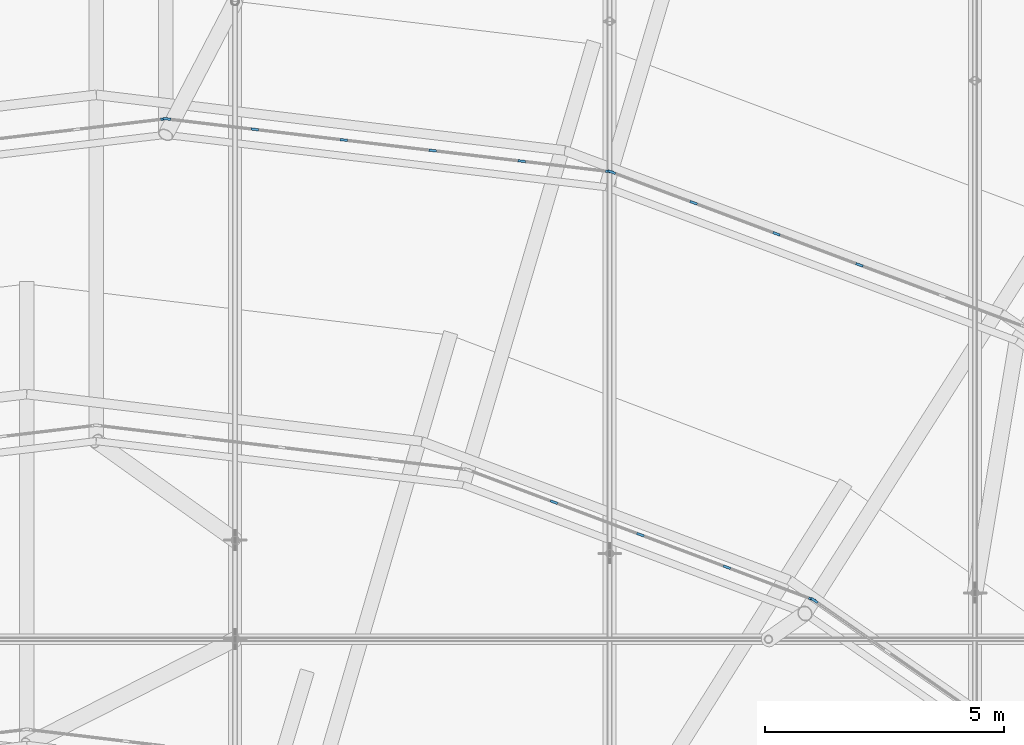
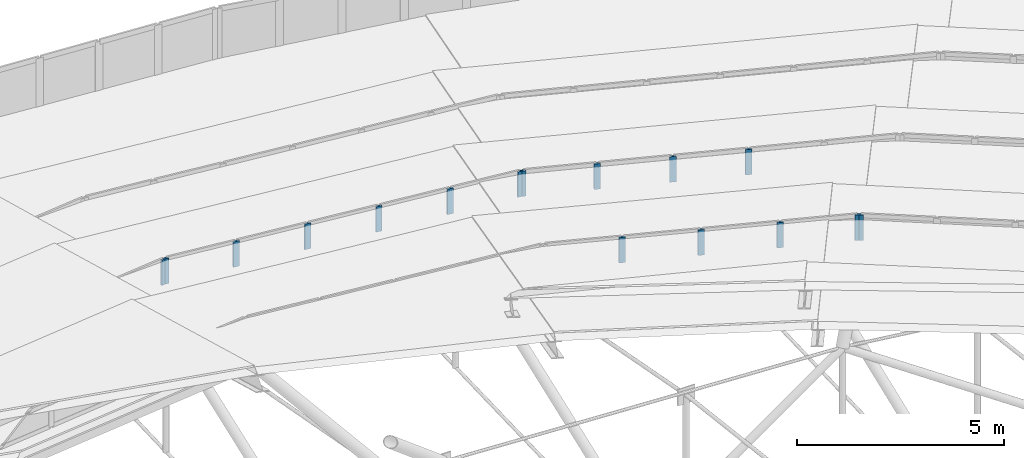
# One storey, part 138 of 173: 16 members, 5 elements without a shape of their own.
"""IFC4 building model written with IfcOpenShell, lengths in metres."""

from ifc_helpers import new_model, si_unit, direction, frame, origin, origin_2d, place, context, subcontext, project, spatial, rectangle, extrude, material, material_profile, profile_set, type_object, element, aggregate, save


model = new_model("IFC4")

# Units and contexts
model_context = context("Model", 3, precision=1e-05, world=origin(), true_north=direction((0.0, 1.0)))
body_context = subcontext(model_context, "Body", "Model", "MODEL_VIEW")
ifc_project = project(units=[si_unit("LENGTHUNIT", "METRE"), si_unit("AREAUNIT", "SQUARE_METRE"), si_unit("VOLUMEUNIT", "CUBIC_METRE"), si_unit("PLANEANGLEUNIT", "RADIAN"), si_unit("MASSUNIT", "GRAM", prefix="KILO")], contexts=[model_context])

# Site, building, storey
site_placement = place(None, origin())
site = spatial("IfcSite", under=ifc_project, at=site_placement, CompositionType="ELEMENT")
building_placement = place(site_placement, origin())
building = spatial("IfcBuilding", under=site, at=building_placement, Name="Glasvene Arena", CompositionType="ELEMENT")
storey_placement = place(building_placement, frame((0.0, 0.0, 28.800048828125)))
storey = spatial("IfcBuildingStorey", under=building, at=storey_placement, Name="RF", CompositionType="ELEMENT", Elevation=28.800048828125)

# Curtain wall, members
ifc_material_1 = material(Name="Low-emissivity laminated double glazing", Category="glass")
curtain_wall_type_1 = type_object("IfcCurtainWallType", Name="CW-PET2-925x75", PredefinedType="USERDEFINED", material=ifc_material_1)
curtain_wall_1_placement = place(storey_placement, frame((108.5, 99.952392578125, 0.0)))
curtain_wall_1 = element("IfcCurtainWall", 1, at=curtain_wall_1_placement, inside=storey, type_object=curtain_wall_type_1, Name="Petal ring 2-3 clerestory curtain wall 05", ObjectType="CURTAIN WALL", PredefinedType="USERDEFINED")
ifc_material_2 = material(Name="Anodised architectural aluminium", Category="aluminium")
ifc_material_profile = material_profile(ifc_material_2, rectangle(XDim=0.050048828125, YDim=0.159912109375, at=origin_2d()), Name="ALU MULLION 50x160")
ifc_profile_set = profile_set([ifc_material_profile], Name="Anodised architectural aluminium")
member_type = type_object("IfcMemberType", Name="CW-MUL-150", PredefinedType="MULLION", material=ifc_profile_set)
member_1_placement = place(storey_placement, frame((105.03662109375, 101.249267578125, 5.179931640625), z_axis=(0.0, 0.0, 1.0), x_axis=(-0.350639776971, -0.936510409342, 0.0)))
member_1 = element("IfcMember", 2, at=member_1_placement, type_object=member_type, Name="CW-091 mullion 3", PredefinedType="MULLION", context=body_context, shape_type="SweptSolid", body=[
    extrude(rectangle(XDim=0.050048828125, YDim=0.159912109375, at=origin_2d()), origin(), (0.0, 0.0, 1.0), 0.75),
])
member_2_placement = place(storey_placement, frame((103.304931640625, 101.8974609375, 5.179931640625), z_axis=(0.0, 0.0, 1.0), x_axis=(-0.350639776971, -0.936510409342, 0.0)))
member_2 = element("IfcMember", 3, at=member_2_placement, type_object=member_type, Name="CW-091 mullion 4", PredefinedType="MULLION", context=body_context, shape_type="SweptSolid", body=[
    extrude(rectangle(XDim=0.050048828125, YDim=0.159912109375, at=origin_2d()), origin(), (0.0, 0.0, 1.0), 0.75),
])
member_3_placement = place(storey_placement, frame((101.5732421875, 102.5458984375, 5.179931640625), z_axis=(0.0, 0.0, 1.0), x_axis=(-0.350639776971, -0.936510409342, 0.0)))
member_3 = element("IfcMember", 4, at=member_3_placement, type_object=member_type, Name="CW-091 mullion 5", PredefinedType="MULLION", context=body_context, shape_type="SweptSolid", body=[
    extrude(rectangle(XDim=0.050048828125, YDim=0.159912109375, at=origin_2d()), origin(), (0.0, 0.0, 1.0), 0.75),
])
member_4_placement = place(storey_placement, frame((99.864990234375, 103.185546875, 5.179931640625), z_axis=(0.0, 0.0, 1.0), x_axis=(-0.350639776971, -0.936510409342, 0.0)))
member_4 = element("IfcMember", 5, at=member_4_placement, type_object=member_type, Name="CW-091 mullion 6", PredefinedType="MULLION", context=body_context, shape_type="SweptSolid", body=[
    extrude(rectangle(XDim=0.050048828125, YDim=0.159912109375, at=origin_2d()), origin(), (0.0, 0.0, 1.0), 0.75),
])
aggregate(curtain_wall_1, [member_1, member_2, member_3, member_4])

curtain_wall_type_2 = type_object("IfcCurtainWallType", Name="CW-PET2-936x75", PredefinedType="USERDEFINED", material=ifc_material_1)
curtain_wall_2_placement = place(storey_placement, frame((99.841552734375, 103.1943359375, 0.0)))
curtain_wall_2 = element("IfcCurtainWall", 6, at=curtain_wall_2_placement, inside=storey, type_object=curtain_wall_type_2, Name="Petal ring 2-3 clerestory curtain wall 06", ObjectType="CURTAIN WALL", PredefinedType="USERDEFINED")
member_5_placement = place(storey_placement, frame((99.81689453125, 103.197265625, 5.179931640625), z_axis=(0.0, 0.0, 1.0), x_axis=(-0.118166222866, -0.992993828668, 0.0)))
member_5 = element("IfcMember", 7, at=member_5_placement, type_object=member_type, Name="CW-092 mullion 1", PredefinedType="MULLION", context=body_context, shape_type="SweptSolid", body=[
    extrude(rectangle(XDim=0.050048828125, YDim=0.159912109375, at=origin_2d()), origin(), (0.0, 0.0, 1.0), 0.75),
])
member_6_placement = place(storey_placement, frame((97.9833984375, 103.41552734375, 5.179931640625), z_axis=(0.0, 0.0, 1.0), x_axis=(-0.118166222866, -0.992993828668, 0.0)))
member_6 = element("IfcMember", 8, at=member_6_placement, type_object=member_type, Name="CW-092 mullion 2", PredefinedType="MULLION", context=body_context, shape_type="SweptSolid", body=[
    extrude(rectangle(XDim=0.050048828125, YDim=0.159912109375, at=origin_2d()), origin(), (0.0, 0.0, 1.0), 0.75),
])
member_7_placement = place(storey_placement, frame((96.125, 103.636474609375, 5.179931640625), z_axis=(0.0, 0.0, 1.0), x_axis=(-0.118166222866, -0.992993828668, 0.0)))
member_7 = element("IfcMember", 9, at=member_7_placement, type_object=member_type, Name="CW-092 mullion 3", PredefinedType="MULLION", context=body_context, shape_type="SweptSolid", body=[
    extrude(rectangle(XDim=0.050048828125, YDim=0.159912109375, at=origin_2d()), origin(), (0.0, 0.0, 1.0), 0.75),
])
member_8_placement = place(storey_placement, frame((94.2666015625, 103.857666015625, 5.179931640625), z_axis=(0.0, 0.0, 1.0), x_axis=(-0.118166222866, -0.992993828668, 0.0)))
member_8 = element("IfcMember", 10, at=member_8_placement, type_object=member_type, Name="CW-092 mullion 4", PredefinedType="MULLION", context=body_context, shape_type="SweptSolid", body=[
    extrude(rectangle(XDim=0.050048828125, YDim=0.159912109375, at=origin_2d()), origin(), (0.0, 0.0, 1.0), 0.75),
])
member_9_placement = place(storey_placement, frame((92.408203125, 104.078857421875, 5.179931640625), z_axis=(0.0, 0.0, 1.0), x_axis=(-0.118166222866, -0.992993828668, 0.0)))
member_9 = element("IfcMember", 11, at=member_9_placement, type_object=member_type, Name="CW-092 mullion 5", PredefinedType="MULLION", context=body_context, shape_type="SweptSolid", body=[
    extrude(rectangle(XDim=0.050048828125, YDim=0.159912109375, at=origin_2d()), origin(), (0.0, 0.0, 1.0), 0.75),
])
member_10_placement = place(storey_placement, frame((90.57470703125, 104.297119140625, 5.179931640625), z_axis=(0.0, 0.0, 1.0), x_axis=(-0.118166222866, -0.992993828668, 0.0)))
member_10 = element("IfcMember", 12, at=member_10_placement, type_object=member_type, Name="CW-092 mullion 6", PredefinedType="MULLION", context=body_context, shape_type="SweptSolid", body=[
    extrude(rectangle(XDim=0.050048828125, YDim=0.159912109375, at=origin_2d()), origin(), (0.0, 0.0, 1.0), 0.75),
])
aggregate(curtain_wall_2, [member_5, member_6, member_7, member_8, member_9, member_10])

# Curtain wall, member
curtain_wall_3_placement = place(storey_placement, frame((90.550048828125, 104.300048828125, 0.0)))
curtain_wall_3 = element("IfcCurtainWall", 13, at=curtain_wall_3_placement, inside=storey, type_object=curtain_wall_type_2, Name="Petal ring 2-3 clerestory curtain wall 07", ObjectType="CURTAIN WALL", PredefinedType="USERDEFINED")
member_11_placement = place(storey_placement, frame((90.525146484375, 104.297119140625, 5.179931640625), z_axis=(0.0, 0.0, 1.0), x_axis=(0.118166222866, -0.992993828668, 0.0)))
member_11 = element("IfcMember", 14, at=member_11_placement, type_object=member_type, Name="CW-092 mullion 1", PredefinedType="MULLION", context=body_context, shape_type="SweptSolid", body=[
    extrude(rectangle(XDim=0.050048828125, YDim=0.159912109375, at=origin_2d()), origin(), (0.0, 0.0, 1.0), 0.75),
])
aggregate(curtain_wall_3, [member_11])

curtain_wall_type_3 = type_object("IfcCurtainWallType", Name="CW-PET3-756x75", PredefinedType="USERDEFINED", material=ifc_material_1)
curtain_wall_4_placement = place(storey_placement, frame((110.27783203125, 89.933349609375, 0.0)))
curtain_wall_4 = element("IfcCurtainWall", 15, at=curtain_wall_4_placement, inside=storey, type_object=curtain_wall_type_3, Name="Petal ring 3-4 clerestory curtain wall 04", ObjectType="CURTAIN WALL", PredefinedType="USERDEFINED")
member_12_placement = place(storey_placement, frame((104.095458984375, 94.24169921875, 7.829833984375), z_axis=(0.0, 0.0, 1.0), x_axis=(-0.571742483725, -0.82043313701, 0.0)))
member_12 = element("IfcMember", 16, at=member_12_placement, type_object=member_type, Name="CW-096 mullion 5", PredefinedType="MULLION", context=body_context, shape_type="SweptSolid", body=[
    extrude(rectangle(XDim=0.050048828125, YDim=0.159912109375, at=origin_2d()), origin(), (0.0, 0.0, 1.0), 0.75),
])
aggregate(curtain_wall_4, [member_12])

# Curtain wall, members
curtain_wall_type_4 = type_object("IfcCurtainWallType", Name="CW-PET3-772x75", PredefinedType="USERDEFINED", material=ifc_material_1)
curtain_wall_5_placement = place(storey_placement, frame((104.074951171875, 94.255859375, 0.0)))
curtain_wall_5 = element("IfcCurtainWall", 17, at=curtain_wall_5_placement, inside=storey, type_object=curtain_wall_type_4, Name="Petal ring 3-4 clerestory curtain wall 05", ObjectType="CURTAIN WALL", PredefinedType="USERDEFINED")
member_13_placement = place(storey_placement, frame((104.051513671875, 94.2646484375, 7.829833984375), z_axis=(0.0, 0.0, 1.0), x_axis=(-0.352091687007, -0.93596551429, 0.0)))
member_13 = element("IfcMember", 18, at=member_13_placement, type_object=member_type, Name="CW-097 mullion 1", PredefinedType="MULLION", context=body_context, shape_type="SweptSolid", body=[
    extrude(rectangle(XDim=0.050048828125, YDim=0.159912109375, at=origin_2d()), origin(), (0.0, 0.0, 1.0), 0.75),
])
member_14_placement = place(storey_placement, frame((102.26904296875, 94.935302734375, 7.829833984375), z_axis=(0.0, 0.0, 1.0), x_axis=(-0.352091687007, -0.93596551429, 0.0)))
member_14 = element("IfcMember", 19, at=member_14_placement, type_object=member_type, Name="CW-097 mullion 2", PredefinedType="MULLION", context=body_context, shape_type="SweptSolid", body=[
    extrude(rectangle(XDim=0.050048828125, YDim=0.159912109375, at=origin_2d()), origin(), (0.0, 0.0, 1.0), 0.75),
])
member_15_placement = place(storey_placement, frame((100.46337890625, 95.614501953125, 7.829833984375), z_axis=(0.0, 0.0, 1.0), x_axis=(-0.352091687007, -0.93596551429, 0.0)))
member_15 = element("IfcMember", 20, at=member_15_placement, type_object=member_type, Name="CW-097 mullion 3", PredefinedType="MULLION", context=body_context, shape_type="SweptSolid", body=[
    extrude(rectangle(XDim=0.050048828125, YDim=0.159912109375, at=origin_2d()), origin(), (0.0, 0.0, 1.0), 0.75),
])
member_16_placement = place(storey_placement, frame((98.657470703125, 96.2939453125, 7.829833984375), z_axis=(0.0, 0.0, 1.0), x_axis=(-0.352091687007, -0.93596551429, 0.0)))
member_16 = element("IfcMember", 21, at=member_16_placement, type_object=member_type, Name="CW-097 mullion 4", PredefinedType="MULLION", context=body_context, shape_type="SweptSolid", body=[
    extrude(rectangle(XDim=0.050048828125, YDim=0.159912109375, at=origin_2d()), origin(), (0.0, 0.0, 1.0), 0.75),
])
aggregate(curtain_wall_5, [member_13, member_14, member_15, member_16])

save(model, "model.ifc")
